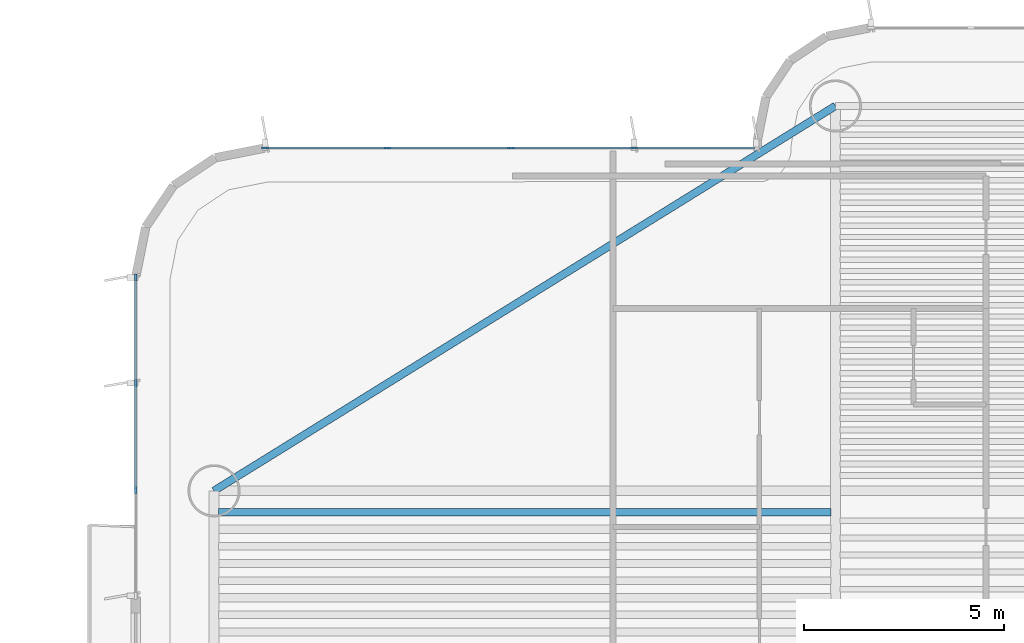
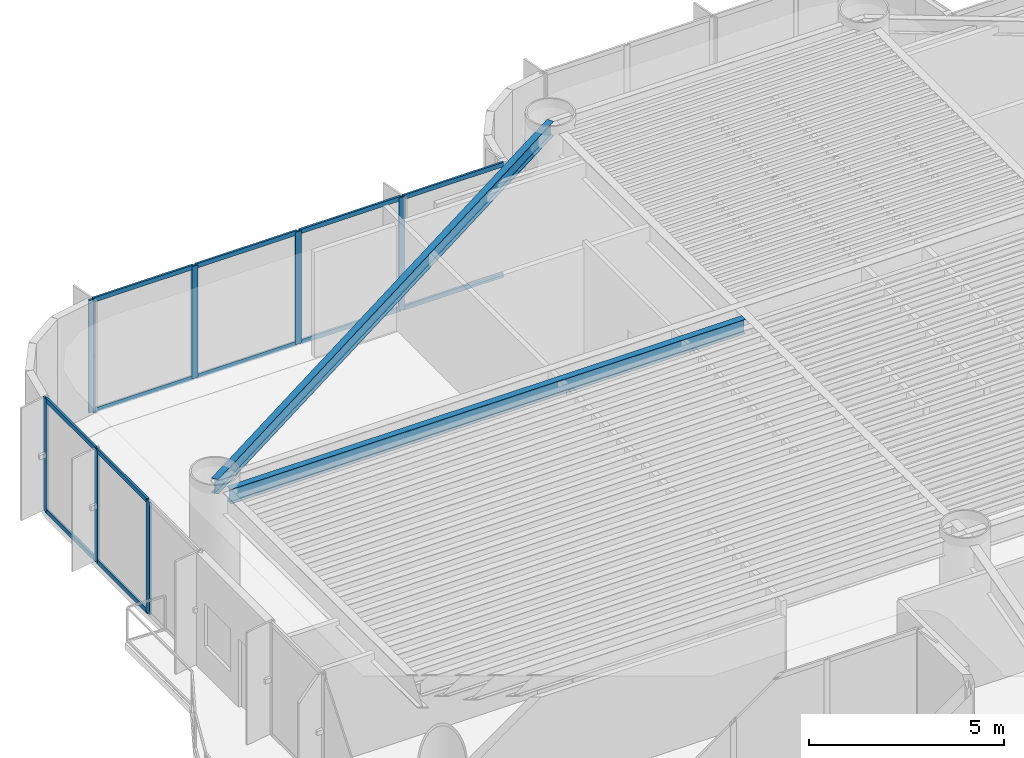
# One storey, part 5 of 16: 19 members, 2 beams, 2 elements without a shape of their own.
"""IFC4 building model written with IfcOpenShell, lengths in metres."""

from ifc_helpers import new_model, si_unit, direction, frame, origin, origin_2d, place, context, subcontext, project, spatial, rectangle, i_section, extrude, source, transform, mapped, material, layer, layer_set, material_profile, profile_set, type_object, element, aggregate, save


model = new_model("IFC4")

# Units and contexts
model_context = context("Model", 3, precision=1e-05, world=origin(), true_north=direction((0.0, 1.0)))
body_context = subcontext(model_context, "Body", "Model", "MODEL_VIEW")
ifc_project = project(units=[si_unit("LENGTHUNIT", "METRE"), si_unit("AREAUNIT", "SQUARE_METRE"), si_unit("VOLUMEUNIT", "CUBIC_METRE"), si_unit("PLANEANGLEUNIT", "RADIAN"), si_unit("MASSUNIT", "GRAM", prefix="KILO")], contexts=[model_context])

# Site, building, storey
site_placement = place(None, origin())
site = spatial("IfcSite", under=ifc_project, at=site_placement, CompositionType="ELEMENT")
building_placement = place(site_placement, origin())
building = spatial("IfcBuilding", under=site, at=building_placement, Name="Brelvock Crest Care Tower", CompositionType="ELEMENT")
storey_placement = place(building_placement, frame((0.0, 0.0, 138.9599609375)))
storey = spatial("IfcBuildingStorey", under=building, at=storey_placement, Name="L35", CompositionType="ELEMENT", Elevation=138.9599609375)

# Beams
ifc_material_1 = material(Name="Steel Grade 350", Category="steel")
ifc_material_profile_1 = material_profile(ifc_material_1, i_section(OverallWidth=0.19091796875, OverallDepth=0.4599609375, WebThickness=0.010009765625, FlangeThickness=0.01611328125, FilletRadius=0.011474609375, at=origin_2d()), Name="460UB82.1")
ifc_profile_set_1 = profile_set([ifc_material_profile_1], Name="Steel Grade 350")
beam_type_1 = type_object("IfcBeamType", Name="BM-G3", PredefinedType="BEAM", material=ifc_profile_set_1)
shared_shape_1 = source(origin(), body_context, "Body", "SweptSolid", [
    extrude(i_section(OverallWidth=0.19091796875, OverallDepth=0.4599609375, WebThickness=0.010009765625, FlangeThickness=0.01611328125, FilletRadius=0.011474609375, at=origin_2d()), origin(), (0.0, 0.0, 1.0), 15.27001953125),
])
beam_1_placement = place(storey_placement, frame((15.965087890625, 38.317626953125, 3.300048828125), z_axis=(1.0, 0.0, 0.0), x_axis=(0.0, 1.0, 0.0)))
element("IfcBeam", 1, at=beam_1_placement, inside=storey, type_object=beam_type_1, Name="BM-JW-L35-26", PredefinedType="BEAM", context=body_context, shape_type="MappedRepresentation", body=[
    mapped(shared_shape_1, transform((0.0, 0.0, 0.0), x_axis=(1.0, 0.0, 0.0), y_axis=(0.0, 1.0, 0.0), z_axis=(0.0, 0.0, 1.0), scale=1.0)),
])
ifc_material_profile_2 = material_profile(ifc_material_1, i_section(OverallWidth=0.19091796875, OverallDepth=0.4599609375, WebThickness=0.010009765625, FlangeThickness=0.01611328125, FilletRadius=0.011474609375, at=origin_2d()), Name="460UB82.1")
ifc_profile_set_2 = profile_set([ifc_material_profile_2], Name="Steel Grade 350")
beam_type_2 = type_object("IfcBeamType", Name="BM-SP2", PredefinedType="SPANDREL", material=ifc_profile_set_2)
shared_shape_2 = source(origin(), body_context, "Body", "SweptSolid", [
    extrude(i_section(OverallWidth=0.19091796875, OverallDepth=0.4599609375, WebThickness=0.010009765625, FlangeThickness=0.01611328125, FilletRadius=0.011474609375, at=origin_2d()), origin(), (0.0, 0.0, 1.0), 18.23193359375),
])
beam_2_placement = place(storey_placement, frame((15.85009765625, 38.85009765625, 3.300048828125), z_axis=(0.85015183248, 0.526537616635, 0.0), x_axis=(-0.526537616635, 0.85015183248, 0.0)))
element("IfcBeam", 2, at=beam_2_placement, inside=storey, type_object=beam_type_2, Name="BM-TWR-L35-06", PredefinedType="SPANDREL", context=body_context, shape_type="MappedRepresentation", body=[
    mapped(shared_shape_2, transform((0.0, 0.0, 0.0), x_axis=(1.0, 0.0, 0.0), y_axis=(0.0, 1.0, 0.0), z_axis=(0.0, 0.0, 1.0), scale=1.0)),
])

# Curtain wall, members
ifc_material_2 = material(Name="Dark Glass Double Glazed Low-E", Category="glass")
ifc_layer = layer(ifc_material_2, 0.2099609375, Name="CWS-3")
ifc_layer_set = layer_set([ifc_layer], Name="Dark Glass Double Glazed Low-E")
curtain_wall_type = type_object("IfcCurtainWallType", Name="CWS-3", PredefinedType="NOTDEFINED", material=ifc_layer_set)
curtain_wall_1_placement = place(storey_placement, origin())
curtain_wall_1 = element("IfcCurtainWall", 3, at=curtain_wall_1_placement, inside=storey, type_object=curtain_wall_type, Name="L35 Curtain Wall E17B", PredefinedType="NOTDEFINED")
ifc_material_3 = material(Name="Aluminium 6063-T6", Category="aluminium")
ifc_material_profile_3 = material_profile(ifc_material_3, rectangle(XDim=0.06005859375, YDim=0.179931640625, at=origin_2d()), Name="ALU60x180")
ifc_profile_set_3 = profile_set([ifc_material_profile_3], Name="Aluminium 6063-T6")
member_type_1 = type_object("IfcMemberType", Name="CWM-2", PredefinedType="MULLION", material=ifc_profile_set_3)
shared_shape_3 = source(origin(), body_context, "Body", "SweptSolid", [
    extrude(rectangle(XDim=0.06005859375, YDim=0.179931640625, at=origin_2d()), origin(), (0.0, 0.0, 1.0), 3.530029296875),
])
member_1_placement = place(storey_placement, frame((13.89990234375, 38.86669921875, 0.0), z_axis=(0.0, 0.0, 1.0), x_axis=(-1.0, 0.0, 0.0)))
member_1 = element("IfcMember", 4, at=member_1_placement, type_object=member_type_1, Name="CW-3 mullion 2", PredefinedType="MULLION", context=body_context, shape_type="MappedRepresentation", body=[
    mapped(shared_shape_3, transform((0.0, 0.0, 0.0), x_axis=(1.0, 0.0, 0.0), y_axis=(0.0, 1.0, 0.0), z_axis=(0.0, 0.0, 1.0), scale=1.0)),
])
member_2_placement = place(storey_placement, frame((13.89990234375, 41.533447265625, 0.0), z_axis=(0.0, 0.0, 1.0), x_axis=(-1.0, 0.0, 0.0)))
member_2 = element("IfcMember", 5, at=member_2_placement, type_object=member_type_1, Name="CW-3 mullion 3", PredefinedType="MULLION", context=body_context, shape_type="MappedRepresentation", body=[
    mapped(shared_shape_3, transform((0.0, 0.0, 0.0), x_axis=(1.0, 0.0, 0.0), y_axis=(0.0, 1.0, 0.0), z_axis=(0.0, 0.0, 1.0), scale=1.0)),
])
member_3_placement = place(storey_placement, frame((13.89990234375, 44.169921875, 0.0), z_axis=(0.0, 0.0, 1.0), x_axis=(-1.0, 0.0, 0.0)))
member_3 = element("IfcMember", 6, at=member_3_placement, type_object=member_type_1, Name="CW-3 mullion 4", PredefinedType="MULLION", context=body_context, shape_type="MappedRepresentation", body=[
    mapped(shared_shape_3, transform((0.0, 0.0, 0.0), x_axis=(1.0, 0.0, 0.0), y_axis=(0.0, 1.0, 0.0), z_axis=(0.0, 0.0, 1.0), scale=1.0)),
])

curtain_wall_2_placement = place(storey_placement, origin())
curtain_wall_2 = element("IfcCurtainWall", 7, at=curtain_wall_2_placement, inside=storey, type_object=curtain_wall_type, Name="L35 Curtain Wall E22", PredefinedType="NOTDEFINED")
member_4_placement = place(storey_placement, frame((17.1298828125, 47.39990234375, 0.0), z_axis=(0.0, 0.0, 1.0), x_axis=(0.0, 1.0, 0.0)))
member_4 = element("IfcMember", 8, at=member_4_placement, type_object=member_type_1, Name="CW-3 mullion 1", PredefinedType="MULLION", context=body_context, shape_type="MappedRepresentation", body=[
    mapped(shared_shape_3, transform((0.0, 0.0, 0.0), x_axis=(1.0, 0.0, 0.0), y_axis=(0.0, 1.0, 0.0), z_axis=(0.0, 0.0, 1.0), scale=1.0)),
])
member_5_placement = place(storey_placement, frame((20.175048828125, 47.39990234375, 0.0), z_axis=(0.0, 0.0, 1.0), x_axis=(0.0, 1.0, 0.0)))
member_5 = element("IfcMember", 9, at=member_5_placement, type_object=member_type_1, Name="CW-3 mullion 2", PredefinedType="MULLION", context=body_context, shape_type="MappedRepresentation", body=[
    mapped(shared_shape_3, transform((0.0, 0.0, 0.0), x_axis=(1.0, 0.0, 0.0), y_axis=(0.0, 1.0, 0.0), z_axis=(0.0, 0.0, 1.0), scale=1.0)),
])
member_6_placement = place(storey_placement, frame((23.25, 47.39990234375, 0.0), z_axis=(0.0, 0.0, 1.0), x_axis=(0.0, 1.0, 0.0)))
member_6 = element("IfcMember", 10, at=member_6_placement, type_object=member_type_1, Name="CW-3 mullion 3", PredefinedType="MULLION", context=body_context, shape_type="MappedRepresentation", body=[
    mapped(shared_shape_3, transform((0.0, 0.0, 0.0), x_axis=(1.0, 0.0, 0.0), y_axis=(0.0, 1.0, 0.0), z_axis=(0.0, 0.0, 1.0), scale=1.0)),
])
member_7_placement = place(storey_placement, frame((26.324951171875, 47.39990234375, 0.0), z_axis=(0.0, 0.0, 1.0), x_axis=(0.0, 1.0, 0.0)))
member_7 = element("IfcMember", 11, at=member_7_placement, type_object=member_type_1, Name="CW-3 mullion 4", PredefinedType="MULLION", context=body_context, shape_type="MappedRepresentation", body=[
    mapped(shared_shape_3, transform((0.0, 0.0, 0.0), x_axis=(1.0, 0.0, 0.0), y_axis=(0.0, 1.0, 0.0), z_axis=(0.0, 0.0, 1.0), scale=1.0)),
])
ifc_material_profile_4 = material_profile(ifc_material_3, rectangle(XDim=0.06005859375, YDim=0.139892578125, at=origin_2d()), Name="ALU60x140")
ifc_profile_set_4 = profile_set([ifc_material_profile_4], Name="Aluminium 6063-T6")
member_type_2 = type_object("IfcMemberType", Name="CWT-2", PredefinedType="USERDEFINED", material=ifc_profile_set_4)
shared_shape_4 = source(origin(), body_context, "Body", "SweptSolid", [
    extrude(rectangle(XDim=0.06005859375, YDim=0.139892578125, at=origin_2d()), origin(), (0.0, 0.0, 1.0), 2.985107421875),
])
member_8_placement = place(storey_placement, frame((17.159912109375, 47.39990234375, 0.030029296875), z_axis=(1.0, 0.0, 0.0), x_axis=(0.0, 1.0, 0.0)))
member_8 = element("IfcMember", 12, at=member_8_placement, type_object=member_type_2, Name="CW-3 transom 1.1", ObjectType="TRANSOM", PredefinedType="USERDEFINED", context=body_context, shape_type="MappedRepresentation", body=[
    mapped(shared_shape_4, transform((0.0, 0.0, 0.0), x_axis=(1.0, 0.0, 0.0), y_axis=(0.0, 1.0, 0.0), z_axis=(0.0, 0.0, 1.0), scale=1.0)),
])
member_9_placement = place(storey_placement, frame((17.159912109375, 47.39990234375, 3.5), z_axis=(1.0, 0.0, 0.0), x_axis=(0.0, 1.0, 0.0)))
member_9 = element("IfcMember", 13, at=member_9_placement, type_object=member_type_2, Name="CW-3 transom 1.2", ObjectType="TRANSOM", PredefinedType="USERDEFINED", context=body_context, shape_type="MappedRepresentation", body=[
    mapped(shared_shape_4, transform((0.0, 0.0, 0.0), x_axis=(1.0, 0.0, 0.0), y_axis=(0.0, 1.0, 0.0), z_axis=(0.0, 0.0, 1.0), scale=1.0)),
])
member_10_placement = place(storey_placement, frame((26.35498046875, 47.39990234375, 0.030029296875), z_axis=(1.0, 0.0, 0.0), x_axis=(0.0, 1.0, 0.0)))
member_10 = element("IfcMember", 14, at=member_10_placement, type_object=member_type_2, Name="CW-3 transom 4.1", ObjectType="TRANSOM", PredefinedType="USERDEFINED", context=body_context, shape_type="MappedRepresentation", body=[
    mapped(shared_shape_4, transform((0.0, 0.0, 0.0), x_axis=(1.0, 0.0, 0.0), y_axis=(0.0, 1.0, 0.0), z_axis=(0.0, 0.0, 1.0), scale=1.0)),
])
member_11_placement = place(storey_placement, frame((26.35498046875, 47.39990234375, 3.5), z_axis=(1.0, 0.0, 0.0), x_axis=(0.0, 1.0, 0.0)))
member_11 = element("IfcMember", 15, at=member_11_placement, type_object=member_type_2, Name="CW-3 transom 4.2", ObjectType="TRANSOM", PredefinedType="USERDEFINED", context=body_context, shape_type="MappedRepresentation", body=[
    mapped(shared_shape_4, transform((0.0, 0.0, 0.0), x_axis=(1.0, 0.0, 0.0), y_axis=(0.0, 1.0, 0.0), z_axis=(0.0, 0.0, 1.0), scale=1.0)),
])
shared_shape_5 = source(origin(), body_context, "Body", "SweptSolid", [
    extrude(rectangle(XDim=0.06005859375, YDim=0.139892578125, at=origin_2d()), origin(), (0.0, 0.0, 1.0), 3.014892578125),
])
member_12_placement = place(storey_placement, frame((20.205078125, 47.39990234375, 0.030029296875), z_axis=(1.0, 0.0, 0.0), x_axis=(0.0, 1.0, 0.0)))
member_12 = element("IfcMember", 16, at=member_12_placement, type_object=member_type_2, Name="CW-3 transom 2.1", ObjectType="TRANSOM", PredefinedType="USERDEFINED", context=body_context, shape_type="MappedRepresentation", body=[
    mapped(shared_shape_5, transform((0.0, 0.0, 0.0), x_axis=(1.0, 0.0, 0.0), y_axis=(0.0, 1.0, 0.0), z_axis=(0.0, 0.0, 1.0), scale=1.0)),
])
member_13_placement = place(storey_placement, frame((20.205078125, 47.39990234375, 3.5), z_axis=(1.0, 0.0, 0.0), x_axis=(0.0, 1.0, 0.0)))
member_13 = element("IfcMember", 17, at=member_13_placement, type_object=member_type_2, Name="CW-3 transom 2.2", ObjectType="TRANSOM", PredefinedType="USERDEFINED", context=body_context, shape_type="MappedRepresentation", body=[
    mapped(shared_shape_5, transform((0.0, 0.0, 0.0), x_axis=(1.0, 0.0, 0.0), y_axis=(0.0, 1.0, 0.0), z_axis=(0.0, 0.0, 1.0), scale=1.0)),
])
member_14_placement = place(storey_placement, frame((23.280029296875, 47.39990234375, 0.030029296875), z_axis=(1.0, 0.0, 0.0), x_axis=(0.0, 1.0, 0.0)))
member_14 = element("IfcMember", 18, at=member_14_placement, type_object=member_type_2, Name="CW-3 transom 3.1", ObjectType="TRANSOM", PredefinedType="USERDEFINED", context=body_context, shape_type="MappedRepresentation", body=[
    mapped(shared_shape_5, transform((0.0, 0.0, 0.0), x_axis=(1.0, 0.0, 0.0), y_axis=(0.0, 1.0, 0.0), z_axis=(0.0, 0.0, 1.0), scale=1.0)),
])
member_15_placement = place(storey_placement, frame((23.280029296875, 47.39990234375, 3.5), z_axis=(1.0, 0.0, 0.0), x_axis=(0.0, 1.0, 0.0)))
member_15 = element("IfcMember", 19, at=member_15_placement, type_object=member_type_2, Name="CW-3 transom 3.2", ObjectType="TRANSOM", PredefinedType="USERDEFINED", context=body_context, shape_type="MappedRepresentation", body=[
    mapped(shared_shape_5, transform((0.0, 0.0, 0.0), x_axis=(1.0, 0.0, 0.0), y_axis=(0.0, 1.0, 0.0), z_axis=(0.0, 0.0, 1.0), scale=1.0)),
])
aggregate(curtain_wall_2, [member_4, member_5, member_6, member_7, member_8, member_9, member_12, member_13, member_14, member_15, member_10, member_11])

# Member
shared_shape_6 = source(origin(), body_context, "Body", "SweptSolid", [
    extrude(rectangle(XDim=0.06005859375, YDim=0.139892578125, at=origin_2d()), origin(), (0.0, 0.0, 1.0), 2.57666015625),
])
member_16_placement = place(storey_placement, frame((13.89990234375, 41.563232421875, 0.030029296875), z_axis=(0.0, 1.0, 0.0), x_axis=(-1.0, 0.0, 0.0)))
member_16 = element("IfcMember", 20, at=member_16_placement, type_object=member_type_2, Name="CW-3 transom 3.1", ObjectType="TRANSOM", PredefinedType="USERDEFINED", context=body_context, shape_type="MappedRepresentation", body=[
    mapped(shared_shape_6, transform((0.0, 0.0, 0.0), x_axis=(1.0, 0.0, 0.0), y_axis=(0.0, 1.0, 0.0), z_axis=(0.0, 0.0, 1.0), scale=1.0)),
])

member_17_placement = place(storey_placement, frame((13.89990234375, 41.563232421875, 3.5), z_axis=(0.0, 1.0, 0.0), x_axis=(-1.0, 0.0, 0.0)))
member_17 = element("IfcMember", 21, at=member_17_placement, type_object=member_type_2, Name="CW-3 transom 3.2", ObjectType="TRANSOM", PredefinedType="USERDEFINED", context=body_context, shape_type="MappedRepresentation", body=[
    mapped(shared_shape_6, transform((0.0, 0.0, 0.0), x_axis=(1.0, 0.0, 0.0), y_axis=(0.0, 1.0, 0.0), z_axis=(0.0, 0.0, 1.0), scale=1.0)),
])

shared_shape_7 = source(origin(), body_context, "Body", "SweptSolid", [
    extrude(rectangle(XDim=0.06005859375, YDim=0.139892578125, at=origin_2d()), origin(), (0.0, 0.0, 1.0), 2.606689453125),
])
member_18_placement = place(storey_placement, frame((13.89990234375, 38.896728515625, 0.030029296875), z_axis=(0.0, 1.0, 0.0), x_axis=(-1.0, 0.0, 0.0)))
member_18 = element("IfcMember", 22, at=member_18_placement, type_object=member_type_2, Name="CW-3 transom 2.1", ObjectType="TRANSOM", PredefinedType="USERDEFINED", context=body_context, shape_type="MappedRepresentation", body=[
    mapped(shared_shape_7, transform((0.0, 0.0, 0.0), x_axis=(1.0, 0.0, 0.0), y_axis=(0.0, 1.0, 0.0), z_axis=(0.0, 0.0, 1.0), scale=1.0)),
])

member_19_placement = place(storey_placement, frame((13.89990234375, 38.896728515625, 3.5), z_axis=(0.0, 1.0, 0.0), x_axis=(-1.0, 0.0, 0.0)))
member_19 = element("IfcMember", 23, at=member_19_placement, type_object=member_type_2, Name="CW-3 transom 2.2", ObjectType="TRANSOM", PredefinedType="USERDEFINED", context=body_context, shape_type="MappedRepresentation", body=[
    mapped(shared_shape_7, transform((0.0, 0.0, 0.0), x_axis=(1.0, 0.0, 0.0), y_axis=(0.0, 1.0, 0.0), z_axis=(0.0, 0.0, 1.0), scale=1.0)),
])

aggregate(curtain_wall_1, [member_1, member_2, member_3, member_18, member_19, member_16, member_17])

save(model, "model.ifc")
